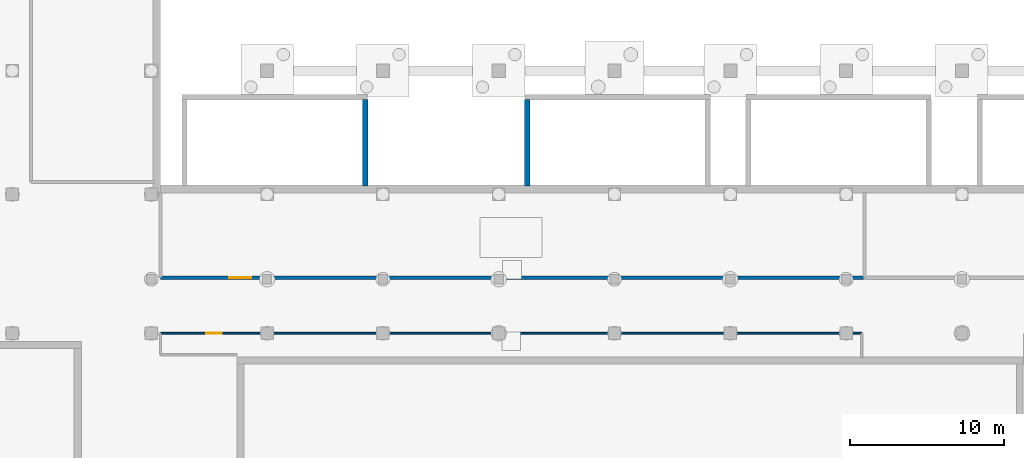
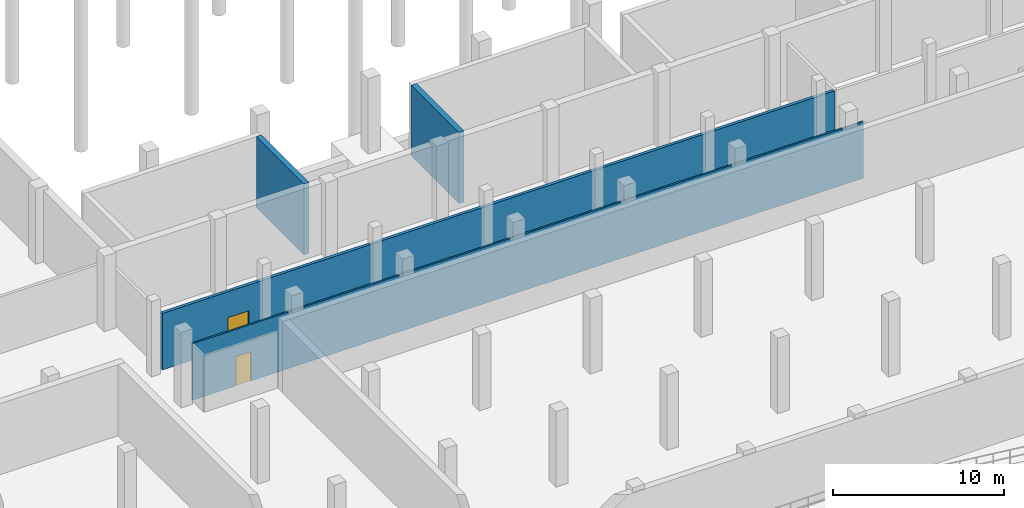
# One storey, part 9 of 19: 4 walls, 2 doors, 2 openings.
"""IFC4 building model written with IfcOpenShell, lengths in metres."""

from ifc_helpers import new_model, si_unit, direction, frame, frame_2d, origin, place, context, subcontext, project, spatial, rectangle, extrude, material, layer, layer_set, type_object, element, fill, save


model = new_model("IFC4")

# Units and contexts
model_context = context("Model", 3, precision=1e-05, world=origin(), true_north=direction((0.0, 1.0)))
body_context = subcontext(model_context, "Body", "Model", "MODEL_VIEW")
ifc_project = project(units=[si_unit("LENGTHUNIT", "METRE"), si_unit("AREAUNIT", "SQUARE_METRE"), si_unit("VOLUMEUNIT", "CUBIC_METRE"), si_unit("PLANEANGLEUNIT", "RADIAN"), si_unit("MASSUNIT", "GRAM", prefix="KILO")], contexts=[model_context])

# Site, building, storey
site_placement = place(None, origin())
site = spatial("IfcSite", under=ifc_project, at=site_placement, CompositionType="ELEMENT")
building_placement = place(site_placement, origin())
building = spatial("IfcBuilding", under=site, at=building_placement, Name="Vourika Railside Aquatics Centre", CompositionType="ELEMENT")
storey_placement = place(building_placement, frame((0.0, 0.0, -5.39990234375)))
storey = spatial("IfcBuildingStorey", under=building, at=storey_placement, Name="B1", CompositionType="ELEMENT", Elevation=-5.39990234375)

# Wall, opening, door
ifc_material_1 = material(Name="Lightweight drylining partition")
ifc_layer_1 = layer(ifc_material_1, 0.1201171875, Name="WL-PART-120")
ifc_layer_set_1 = layer_set([ifc_layer_1], Name="Lightweight drylining partition")
wall_type_1 = type_object("IfcWallType", Name="WL-PART-120", PredefinedType="PARTITIONING", material=ifc_layer_set_1)
wall_1_placement = place(storey_placement, frame((36.60009765625, 49.0, 0.0), z_axis=(0.0, 0.0, 1.0), x_axis=(1.0, 0.0, 0.0)))
wall_1 = element("IfcWall", 1, at=wall_1_placement, inside=storey, type_object=wall_type_1, Name="Competition Pool Sand and Ultrafiltration Hall Partition 1", PredefinedType="PARTITIONING", context=body_context, shape_type="SweptSolid", body=[
    extrude(rectangle(XDim=45.39990234375, YDim=0.1201171875, at=frame_2d((22.699951171875, 0.0))), origin(), (0.0, 0.0, 1.0), 4.0498046875),
])
opening_1_placement = place(wall_1_placement, frame((2.949951171875, 0.0, 0.0)))
opening_1 = element("IfcOpeningElement", 2, at=opening_1_placement, cuts=wall_1, Name="Opening DI01", PredefinedType="OPENING", context=body_context, shape_type="SweptSolid", body=[
    extrude(rectangle(XDim=1.0, YDim=2.10009765625, at=frame_2d((0.5, 1.050048828125))), frame((0.0, 0.070068359375, 0.0), z_axis=(0.0, -1.0, 0.0), x_axis=(1.0, 0.0, 0.0)), (0.0, 0.0, 1.0), 0.14013671875),
])
ifc_material_2 = material(Name="Anodized aluminium and laminate door", Category="aluminium")
door_type_1 = type_object("IfcDoorType", Name="DR-INT-1000", OperationType="NOTDEFINED", PredefinedType="DOOR", material=ifc_material_2)
door_1_placement = place(opening_1_placement, origin())
door_1 = element("IfcDoor", 3, at=door_1_placement, inside=storey, type_object=door_type_1, Name="Competition Pool Sand and Ultrafiltration Hall Door", OperationType="SINGLE_SWING_RIGHT", OverallHeight=2.10009765625, OverallWidth=1.0, PredefinedType="DOOR", context=body_context, shape_type="SweptSolid", body=[
    extrude(rectangle(XDim=1.0, YDim=2.10009765625, at=frame_2d((0.5, 1.050048828125))), frame((0.0, 0.02490234375, 0.0), z_axis=(0.0, -1.0, 0.0), x_axis=(1.0, 0.0, 0.0)), (0.0, 0.0, 1.0), 0.050048828125),
])
fill(opening_1, door_1)

ifc_material_3 = material(Name="Acoustic masonry blockwork", Category="masonry")
ifc_layer_2 = layer(ifc_material_3, 0.199951171875, Name="WL-PART-200")
ifc_layer_set_2 = layer_set([ifc_layer_2], Name="Acoustic masonry blockwork")
wall_type_2 = type_object("IfcWallType", Name="WL-PART-200", PredefinedType="PARTITIONING", material=ifc_layer_set_2)
wall_2_placement = place(storey_placement, frame((82.1201171875, 52.60009765625, 0.0), z_axis=(0.0, 0.0, 1.0), x_axis=(-1.0, 0.0, 0.0)))
wall_2 = element("IfcWall", 4, at=wall_2_placement, inside=storey, type_object=wall_type_2, Name="Natatorium Dehumidification AHU Plant West Partition 1", PredefinedType="PARTITIONING", context=body_context, shape_type="SweptSolid", body=[
    extrude(rectangle(XDim=45.52001953125, YDim=0.199951171875, at=frame_2d((22.760009765625, 0.0))), origin(), (0.0, 0.0, 1.0), 4.0498046875),
])
opening_2_placement = place(wall_2_placement, frame((39.659912109375, 0.0, 0.0)))
opening_2 = element("IfcOpeningElement", 5, at=opening_2_placement, cuts=wall_2, Name="Opening DP01", PredefinedType="OPENING", context=body_context, shape_type="SweptSolid", body=[
    extrude(rectangle(XDim=1.39990234375, YDim=2.199951171875, at=frame_2d((0.699951171875, 1.10009765625))), frame((0.0, 0.10986328125, 0.0), z_axis=(0.0, -1.0, 0.0), x_axis=(1.0, 0.0, 0.0)), (0.0, 0.0, 1.0), 0.219970703125),
])
ifc_material_4 = material(Name="Fire-rated plant room double door")
door_type_2 = type_object("IfcDoorType", Name="DR-PLT-1400D", OperationType="DOUBLE_DOOR_SINGLE_SWING", PredefinedType="DOOR", material=ifc_material_4)
door_2_placement = place(opening_2_placement, origin())
door_2 = element("IfcDoor", 6, at=door_2_placement, inside=storey, type_object=door_type_2, Name="Natatorium Dehumidification AHU Plant West Door", OperationType="DOUBLE_DOOR_SINGLE_SWING", OverallHeight=2.199951171875, OverallWidth=1.39990234375, PredefinedType="DOOR", context=body_context, shape_type="SweptSolid", body=[
    extrude(rectangle(XDim=1.39990234375, YDim=2.199951171875, at=frame_2d((0.699951171875, 1.10009765625))), frame((0.0, 0.02490234375, 0.0), z_axis=(0.0, -1.0, 0.0), x_axis=(1.0, 0.0, 0.0)), (0.0, 0.0, 1.0), 0.050048828125),
])
fill(opening_2, door_2)

# Walls
ifc_material_5 = material(Name="Concrete C40/50", Category="concrete")
ifc_layer_3 = layer(ifc_material_5, 0.35009765625, Name="WL-TANK-350")
ifc_layer_set_3 = layer_set([ifc_layer_3], Name="Concrete C40/50")
wall_type_3 = type_object("IfcWallType", Name="WL-TANK-350", PredefinedType="SOLIDWALL", material=ifc_layer_set_3)
for number, where, z_axis, x_axis, name in (
    (7, (49.85009765625, 58.550048828125, 0.0), (0.0, 0.0, 1.0), (0.0, 1.0, 0.0), "Substructure Core Foundation Wall ST07-E"),
    (8, (60.35009765625, 64.14990234375, 0.0), (0.0, 0.0, 1.0), (0.0, -1.0, 0.0), "Substructure Core Foundation Wall ST08-W"),
):
    element("IfcWall", number, at=place(storey_placement, frame(where, z_axis=z_axis, x_axis=x_axis)), inside=storey, type_object=wall_type_3, Name=name, PredefinedType="SOLIDWALL", context=body_context, shape_type="SweptSolid", body=[
        extrude(rectangle(XDim=5.599853515625, YDim=0.35009765625, at=frame_2d((2.7998046875, 0.0))), origin(), (0.0, 0.0, 1.0), 5.079833984375),
    ])

save(model, "model.ifc")
